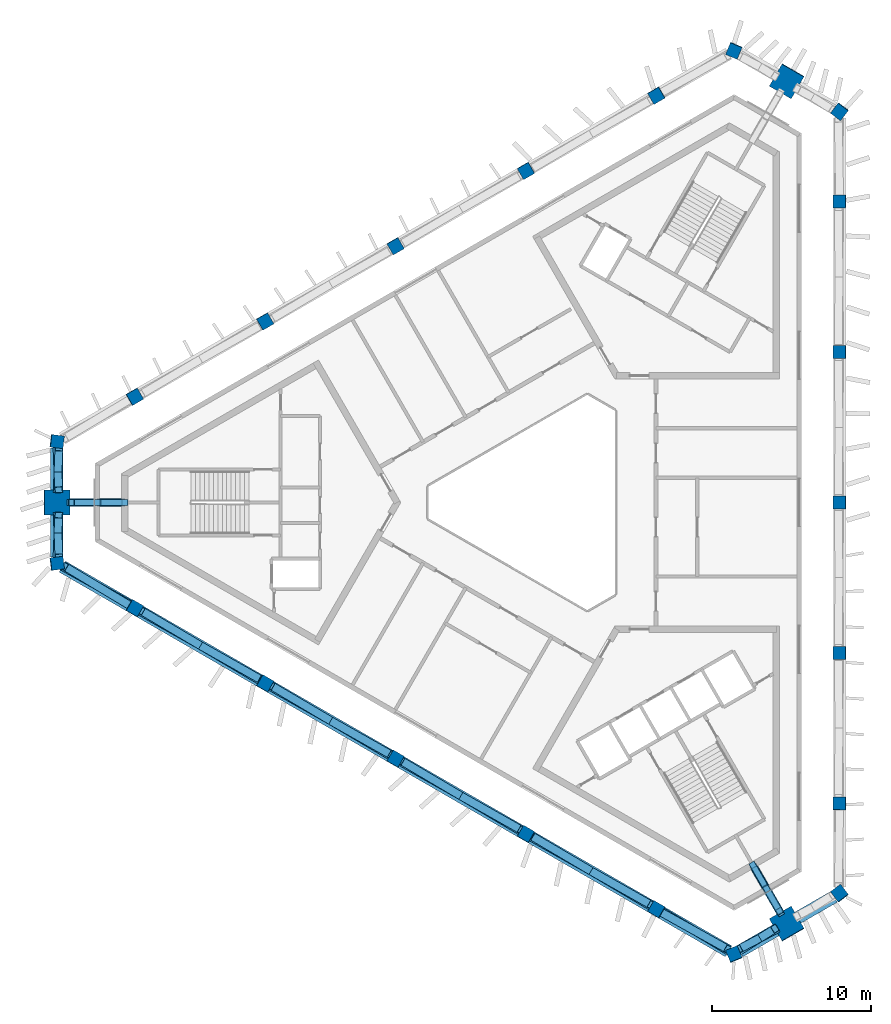
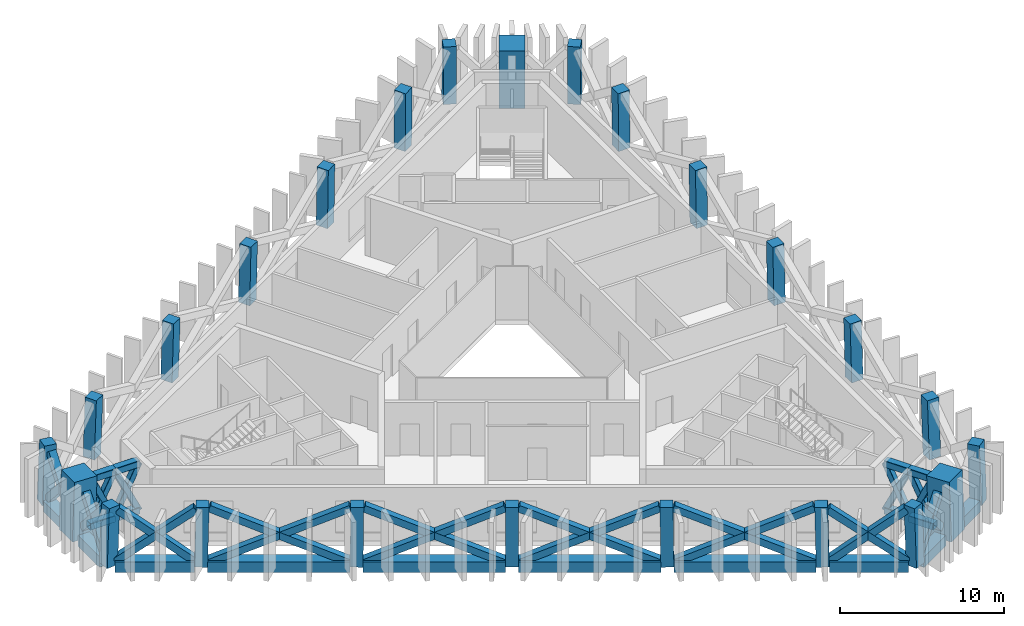
# One storey, part 1 of 8: 44 members, 24 columns.
"""IFC4 building model written with IfcOpenShell, lengths in metres."""

from ifc_helpers import new_model, si_unit, direction, frame, origin, origin_2d, place, context, subcontext, project, spatial, rectangle, hollow_rectangle, extrude, material, material_profile, profile_set, type_object, element, save


model = new_model("IFC4")

# Units and contexts
model_context = context("Model", 3, precision=1e-05, world=origin(), true_north=direction((0.0, 1.0)))
body_context = subcontext(model_context, "Body", "Model", "MODEL_VIEW")
ifc_project = project(units=[si_unit("LENGTHUNIT", "METRE"), si_unit("AREAUNIT", "SQUARE_METRE"), si_unit("VOLUMEUNIT", "CUBIC_METRE"), si_unit("PLANEANGLEUNIT", "RADIAN"), si_unit("MASSUNIT", "GRAM", prefix="KILO")], contexts=[model_context])

# Site, building, storey
site_placement = place(None, origin())
site = spatial("IfcSite", under=ifc_project, at=site_placement, CompositionType="ELEMENT")
building_placement = place(site_placement, origin())
building = spatial("IfcBuilding", under=site, at=building_placement, Name="Jabali Bay Hotel Tower and Convention Centre", CompositionType="ELEMENT")
storey_placement = place(building_placement, frame((0.0, 0.0, 296.0)))
storey = spatial("IfcBuildingStorey", under=building, at=storey_placement, Name="L73", CompositionType="ELEMENT", Elevation=296.0)

# Columns
ifc_material_1 = material(Name="Concrete C60", Category="concrete")
ifc_material_profile_1 = material_profile(ifc_material_1, rectangle(XDim=0.800048828125, YDim=0.800048828125, at=origin_2d()), Name="Frame column 800")
ifc_profile_set_1 = profile_set([ifc_material_profile_1], Name="Concrete C60")
column_type_1 = type_object("IfcColumnType", Name="Frame column 800", PredefinedType="COLUMN", material=ifc_profile_set_1)
column_1_placement = place(storey_placement, frame((82.1201171875, 105.680419921875, 0.0), z_axis=(-0.008375041015, -0.028120170824, 0.99956946466), x_axis=(0.86604026102, 0.499519967334, 0.021308883745)))
element("IfcColumn", 1, at=column_1_placement, inside=storey, type_object=column_type_1, Name="FC6 F1.1 L73", PredefinedType="COLUMN", context=body_context, shape_type="SweptSolid", body=[
    extrude(rectangle(XDim=0.800048828125, YDim=0.800048828125, at=origin_2d()), origin(), (0.0, 0.0, 1.0), 4.40185546875),
])
column_2_placement = place(storey_placement, frame((73.89013671875, 100.9287109375, 0.0), z_axis=(0.000887572667, -0.022799522891, 0.999739663098), x_axis=(0.865381690599, 0.500999952794, 0.010657245231)))
element("IfcColumn", 2, at=column_2_placement, inside=storey, type_object=column_type_1, Name="FC6 F1.2 L73", PredefinedType="COLUMN", context=body_context, shape_type="SweptSolid", body=[
    extrude(rectangle(XDim=0.800048828125, YDim=0.800048828125, at=origin_2d()), origin(), (0.0, 0.0, 1.0), 4.401123046875),
])
column_3_placement = place(storey_placement, frame((65.66015625, 96.17724609375, 0.0), z_axis=(0.010096701434, -0.017530536556, 0.999795347513), x_axis=(0.866545069228, 0.499098830891, 2.23502e-07)))
element("IfcColumn", 3, at=column_3_placement, inside=storey, type_object=column_type_1, Name="FC6 F1.3 L73", PredefinedType="COLUMN", context=body_context, shape_type="SweptSolid", body=[
    extrude(rectangle(XDim=0.800048828125, YDim=0.800048828125, at=origin_2d()), origin(), (0.0, 0.0, 1.0), 4.40087890625),
])
column_4_placement = place(storey_placement, frame((57.43017578125, 91.425537109375, 0.0), z_axis=(0.01930470884, -0.012148652977, 0.999739835381), x_axis=(-0.499386744752, 0.86614439953, 0.020168250509)))
element("IfcColumn", 4, at=column_4_placement, inside=storey, type_object=column_type_1, Name="FC6 F1.4 L73", PredefinedType="COLUMN", context=body_context, shape_type="SweptSolid", body=[
    extrude(rectangle(XDim=0.800048828125, YDim=0.800048828125, at=origin_2d()), origin(), (0.0, 0.0, 1.0), 4.401123046875),
])
for number, where, z_axis, x_axis, name in (
    (5, (49.199951171875, 86.673828125, 0.0), (0.028563859463, -0.006822047988, 0.999568689783), (-0.499616168362, 0.866011629978, 0.020187646054), "FC6 F1.5 L73"),
    (6, (49.199951171875, 73.326171875, 0.0), (0.028563859463, 0.006822047988, 0.999568689783), (-0.865775831404, 0.499977315889, 0.021328229016), "FC6 F2.1 L73"),
):
    element("IfcColumn", number, at=place(storey_placement, frame(where, z_axis=z_axis, x_axis=x_axis)), inside=storey, type_object=column_type_1, Name=name, PredefinedType="COLUMN", context=body_context, shape_type="SweptSolid", body=[
        extrude(rectangle(XDim=0.800048828125, YDim=0.800048828125, at=origin_2d()), origin(), (0.0, 0.0, 1.0), 4.40185546875),
    ])
column_5_placement = place(storey_placement, frame((57.43017578125, 68.574462890625, 0.0), z_axis=(0.01930470884, 0.012148652977, 0.999739835381), x_axis=(-0.866164076479, 0.499646164194, 0.010653789183)))
element("IfcColumn", 7, at=column_5_placement, inside=storey, type_object=column_type_1, Name="FC6 F2.2 L73", PredefinedType="COLUMN", context=body_context, shape_type="SweptSolid", body=[
    extrude(rectangle(XDim=0.800048828125, YDim=0.800048828125, at=origin_2d()), origin(), (0.0, 0.0, 1.0), 4.401123046875),
])
column_6_placement = place(storey_placement, frame((65.66015625, 63.82275390625, 0.0), z_axis=(0.010096701434, 0.017530536556, 0.999795347513), x_axis=(-0.498996692992, -0.866367726368, 0.020230251895)))
element("IfcColumn", 8, at=column_6_placement, inside=storey, type_object=column_type_1, Name="FC6 F2.3 L73", PredefinedType="COLUMN", context=body_context, shape_type="SweptSolid", body=[
    extrude(rectangle(XDim=0.800048828125, YDim=0.800048828125, at=origin_2d()), origin(), (0.0, 0.0, 1.0), 4.40087890625),
])
column_7_placement = place(storey_placement, frame((73.89013671875, 59.0712890625, 0.0), z_axis=(0.000887572667, 0.022799522891, 0.999739663098), x_axis=(-0.501112504125, -0.865146940731, 0.020174963528)))
element("IfcColumn", 9, at=column_7_placement, inside=storey, type_object=column_type_1, Name="FC6 F2.4 L73", PredefinedType="COLUMN", context=body_context, shape_type="SweptSolid", body=[
    extrude(rectangle(XDim=0.800048828125, YDim=0.800048828125, at=origin_2d()), origin(), (0.0, 0.0, 1.0), 4.401123046875),
])
for number, where, z_axis, x_axis, name in (
    (10, (82.1201171875, 54.319580078125, 0.0), (-0.008375041015, 0.028120170824, 0.99956946466), (-0.499904115786, -0.865845862858, 0.020169699866), "FC6 F2.5 L73"),
    (11, (93.6796875, 60.993408203125, 0.0), (-0.020188813544, 0.021353552787, 0.999568125538), (-0.000778316803, -0.999771926641, 0.021342186463), "FC6 F0.1 L73"),
):
    element("IfcColumn", number, at=place(storey_placement, frame(where, z_axis=z_axis, x_axis=x_axis)), inside=storey, type_object=column_type_1, Name=name, PredefinedType="COLUMN", context=body_context, shape_type="SweptSolid", body=[
        extrude(rectangle(XDim=0.800048828125, YDim=0.800048828125, at=origin_2d()), origin(), (0.0, 0.0, 1.0), 4.40185546875),
    ])
column_8_placement = place(storey_placement, frame((93.6796875, 70.496826171875, 0.0), z_axis=(-0.020192272495, 0.010650869008, 0.999739381599), x_axis=(0.000500586277, -0.999943021709, 0.010663149127)))
element("IfcColumn", 12, at=column_8_placement, inside=storey, type_object=column_type_1, Name="FC6 F0.2 L73", PredefinedType="COLUMN", context=body_context, shape_type="SweptSolid", body=[
    extrude(rectangle(XDim=0.800048828125, YDim=0.800048828125, at=origin_2d()), origin(), (0.0, 0.0, 1.0), 4.401123046875),
])
column_9_placement = place(storey_placement, frame((93.6796875, 80.0, 0.0), z_axis=(-0.020193417908, 0.0, 0.999796092147), x_axis=(0.0, -1.0, 0.0)))
element("IfcColumn", 13, at=column_9_placement, inside=storey, type_object=column_type_1, Name="FC6 F0.3 L73", PredefinedType="COLUMN", context=body_context, shape_type="SweptSolid", body=[
    extrude(rectangle(XDim=0.800048828125, YDim=0.800048828125, at=origin_2d()), origin(), (0.0, 0.0, 1.0), 4.40087890625),
])
column_10_placement = place(storey_placement, frame((93.6796875, 89.503173828125, 0.0), z_axis=(-0.020192272495, -0.010650869008, 0.999739381599), x_axis=(0.999795989962, -0.000715769027, 0.020185790295)))
element("IfcColumn", 14, at=column_10_placement, inside=storey, type_object=column_type_1, Name="FC6 F0.4 L73", PredefinedType="COLUMN", context=body_context, shape_type="SweptSolid", body=[
    extrude(rectangle(XDim=0.800048828125, YDim=0.800048828125, at=origin_2d()), origin(), (0.0, 0.0, 1.0), 4.401123046875),
])
column_11_placement = place(storey_placement, frame((93.6796875, 99.006591796875, 0.0), z_axis=(-0.020188813544, -0.021353552787, 0.999568125538), x_axis=(0.999795882183, 0.000347107245, 0.020200828843)))
element("IfcColumn", 15, at=column_11_placement, inside=storey, type_object=column_type_1, Name="FC6 F0.5 L73", PredefinedType="COLUMN", context=body_context, shape_type="SweptSolid", body=[
    extrude(rectangle(XDim=0.800048828125, YDim=0.800048828125, at=origin_2d()), origin(), (0.0, 0.0, 1.0), 4.40185546875),
])
for number, where, z_axis, x_axis, name in (
    (16, (93.6796875, 55.334716796875, 0.0), (-0.020184923639, 0.029001964459, 0.999375532478), (-0.797077232245, -0.603875693918, 0.001425528542), "FC6 V0 L73"),
    (17, (93.6796875, 104.665283203125, 0.0), (-0.020184923639, -0.029001964459, 0.999375532478), (0.603539936288, 0.796550709216, 0.03530599033), "FC6 V1 L73"),
    (18, (87.020751953125, 108.509765625, 0.0), (-0.015027778584, -0.031996414181, 0.999375002364), (0.921537677738, -0.388286332037, 0.00142578499), "FC6 V2 L73"),
    (19, (44.29931640625, 83.844482421875, 0.0), (0.035212709707, -0.002939013566, 0.999375518649), (-0.991746718081, 0.123255451076, 0.03530638691), "FC6 V3 L73"),
    (20, (44.29931640625, 76.155517578125, 0.0), (0.035212709707, 0.002939013566, 0.999375518649), (-0.123282246295, 0.992370624303, 0.00142540136), "FC6 V4 L73"),
    (21, (87.020751953125, 51.490234375, 0.0), (-0.015027778584, 0.031996414181, 0.999375002364), (0.38799803399, -0.920983145249, 0.035320982245), "FC6 V5 L73"),
):
    element("IfcColumn", number, at=place(storey_placement, frame(where, z_axis=z_axis, x_axis=x_axis)), inside=storey, type_object=column_type_1, Name=name, PredefinedType="COLUMN", context=body_context, shape_type="SweptSolid", body=[
        extrude(rectangle(XDim=0.800048828125, YDim=0.800048828125, at=origin_2d()), origin(), (0.0, 0.0, 1.0), 4.402587890625),
    ])
ifc_material_2 = material(Name="Concrete C70", Category="concrete")
ifc_material_profile_2 = material_profile(ifc_material_2, rectangle(XDim=1.60009765625, YDim=1.60009765625, at=origin_2d()), Name="Mega column 1600")
ifc_profile_set_2 = profile_set([ifc_material_profile_2], Name="Concrete C70")
column_type_2 = type_object("IfcColumnType", Name="Mega column 1600", PredefinedType="COLUMN", material=ifc_profile_set_2)
for number, where, z_axis, x_axis, name in (
    (22, (90.350341796875, 106.58740234375, 0.0), (-0.017634146739, -0.030499310397, 0.999379221784), (0.500233351907, 0.865173637239, 0.035230257818), "MC6 M1 L73"),
    (23, (44.29931640625, 80.0, 0.0), (0.035212861788, 0.0, 0.99937983488), (0.0, 1.0, 0.0), "MC6 M0 L73"),
    (24, (90.350341796875, 53.41259765625, 0.0), (-0.017634146739, 0.030499310397, 0.999379221784), (-0.865711054861, -0.500544073476, 1.73397e-07), "MC6 M2 L73"),
):
    element("IfcColumn", number, at=place(storey_placement, frame(where, z_axis=z_axis, x_axis=x_axis)), inside=storey, type_object=column_type_2, Name=name, PredefinedType="COLUMN", context=body_context, shape_type="SweptSolid", body=[
        extrude(rectangle(XDim=1.60009765625, YDim=1.60009765625, at=origin_2d()), origin(), (0.0, 0.0, 1.0), 4.402587890625),
    ])

# Members
ifc_material_3 = material(Name="Steel Q420GJC", Category="steel")
ifc_material_profile_3 = material_profile(ifc_material_3, hollow_rectangle(XDim=0.5, YDim=0.5, WallThickness=0.030029296875, at=origin_2d()), Name="Belt brace 500x500x30")
ifc_profile_set_3 = profile_set([ifc_material_profile_3], Name="Steel Q420GJC")
member_type_1 = type_object("IfcMemberType", Name="Belt brace 500x500x30", PredefinedType="BRACE", material=ifc_profile_set_3)
member_1_placement = place(storey_placement, frame((44.3154296875, 83.44482421875, 0.45751953125), z_axis=(0.026526550798, -0.657761337409, 0.75275916807), x_axis=(0.999187795239, 0.040295779487, 0.0)))
element("IfcMember", 25, at=member_1_placement, inside=storey, type_object=member_type_1, Name="Belt brace T6 V3-M0 x1", PredefinedType="BRACE", context=body_context, shape_type="SweptSolid", body=[
    extrude(hollow_rectangle(XDim=0.5, YDim=0.5, WallThickness=0.030029296875, at=origin_2d()), origin(), (0.0, 0.0, 1.0), 4.02197265625),
])
for number, where, z_axis, x_axis, name in (
    (26, (44.331787109375, 80.79931640625, 0.91796875), (0.026545074044, 0.656503517022, 0.753855749584), (-0.999183546139, 0.040401003999, 0.0), "Belt brace T6 V3-M0 x2"),
    (27, (44.331787109375, 79.20068359375, 0.91796875), (0.026545074044, -0.656503517022, 0.753855749584), (0.999183546139, 0.040401003999, 0.0), "Belt brace T6 M0-V4 x1"),
):
    element("IfcMember", number, at=place(storey_placement, frame(where, z_axis=z_axis, x_axis=x_axis)), inside=storey, type_object=member_type_1, Name=name, PredefinedType="BRACE", context=body_context, shape_type="SweptSolid", body=[
        extrude(hollow_rectangle(XDim=0.5, YDim=0.5, WallThickness=0.030029296875, at=origin_2d()), origin(), (0.0, 0.0, 1.0), 4.010009765625),
    ])
member_2_placement = place(storey_placement, frame((44.3154296875, 76.55517578125, 0.45751953125), z_axis=(0.026526550798, 0.657761337409, 0.75275916807), x_axis=(-0.999187795239, 0.040295779487, 0.0)))
element("IfcMember", 28, at=member_2_placement, inside=storey, type_object=member_type_1, Name="Belt brace T6 M0-V4 x2", PredefinedType="BRACE", context=body_context, shape_type="SweptSolid", body=[
    extrude(hollow_rectangle(XDim=0.5, YDim=0.5, WallThickness=0.030029296875, at=origin_2d()), origin(), (0.0, 0.0, 1.0), 4.02197265625),
])
member_3_placement = place(storey_placement, frame((44.64892578125, 75.9609375, 0.305908203125), z_axis=(0.693963297755, -0.386505256724, 0.60747726533), x_axis=(0.486575880664, 0.87363831896, 0.0)))
element("IfcMember", 29, at=member_3_placement, inside=storey, type_object=member_type_1, Name="Belt brace T6 V4-F2.1 x1", PredefinedType="BRACE", context=body_context, shape_type="SweptSolid", body=[
    extrude(hollow_rectangle(XDim=0.5, YDim=0.5, WallThickness=0.030029296875, at=origin_2d()), origin(), (0.0, 0.0, 1.0), 6.23583984375),
])
member_4_placement = place(storey_placement, frame((48.85693359375, 73.53173828125, 0.318115234375), z_axis=(-0.671398388347, 0.402144496876, 0.622498198999), x_axis=(-0.513843070707, -0.857884198879, 0.0)))
element("IfcMember", 30, at=member_4_placement, inside=storey, type_object=member_type_1, Name="Belt brace T6 V4-F2.1 x2", PredefinedType="BRACE", context=body_context, shape_type="SweptSolid", body=[
    extrude(hollow_rectangle(XDim=0.5, YDim=0.5, WallThickness=0.030029296875, at=origin_2d()), origin(), (0.0, 0.0, 1.0), 6.046142578125),
])
member_5_placement = place(storey_placement, frame((49.54833984375, 73.12939453125, 0.184326171875), z_axis=(0.790752664738, -0.446790712833, 0.418435517298), x_axis=(0.491926706334, 0.870636615124, 0.0)))
element("IfcMember", 31, at=member_5_placement, inside=storey, type_object=member_type_1, Name="Belt brace T6 F2.1-F2.2 x1", PredefinedType="BRACE", context=body_context, shape_type="SweptSolid", body=[
    extrude(hollow_rectangle(XDim=0.5, YDim=0.5, WallThickness=0.030029296875, at=origin_2d()), origin(), (0.0, 0.0, 1.0), 9.634765625),
])
member_6_placement = place(storey_placement, frame((57.085693359375, 68.77783203125, 0.18701171875), z_axis=(-0.780199937753, 0.460301010224, 0.423569400591), x_axis=(-0.508134979565, -0.861277448064, 0.0)))
element("IfcMember", 32, at=member_6_placement, inside=storey, type_object=member_type_1, Name="Belt brace T6 F2.1-F2.2 x2", PredefinedType="BRACE", context=body_context, shape_type="SweptSolid", body=[
    extrude(hollow_rectangle(XDim=0.5, YDim=0.5, WallThickness=0.030029296875, at=origin_2d()), origin(), (0.0, 0.0, 1.0), 9.504638671875),
])
member_7_placement = place(storey_placement, frame((57.7783203125, 68.377685546875, 0.185302734375), z_axis=(0.790089140846, -0.44637401894, 0.420130199738), x_axis=(0.491891798651, 0.870656337724, 0.0)))
element("IfcMember", 33, at=member_7_placement, inside=storey, type_object=member_type_1, Name="Belt brace T6 F2.2-F2.3 x1", PredefinedType="BRACE", context=body_context, shape_type="SweptSolid", body=[
    extrude(hollow_rectangle(XDim=0.5, YDim=0.5, WallThickness=0.030029296875, at=origin_2d()), origin(), (0.0, 0.0, 1.0), 9.591064453125),
])
for number, where, z_axis, x_axis, name in (
    (34, (65.315673828125, 64.026123046875, 0.18603515625), (-0.780901057459, 0.460690712254, 0.421850217615), (-0.508115389897, -0.861289005242, 0.0), "Belt brace T6 F2.2-F2.3 x2"),
    (35, (66.00830078125, 63.626220703125, 0.18603515625), (0.789417899762, -0.445938139211, 0.42185134293), (0.491844433366, 0.870683095832, 0.0), "Belt brace T6 F2.3-F2.4 x1"),
):
    element("IfcMember", number, at=place(storey_placement, frame(where, z_axis=z_axis, x_axis=x_axis)), inside=storey, type_object=member_type_1, Name=name, PredefinedType="BRACE", context=body_context, shape_type="SweptSolid", body=[
        extrude(hollow_rectangle(XDim=0.5, YDim=0.5, WallThickness=0.030029296875, at=origin_2d()), origin(), (0.0, 0.0, 1.0), 9.548095703125),
    ])
member_8_placement = place(storey_placement, frame((73.545654296875, 59.2744140625, 0.185302734375), z_axis=(-0.781610594153, 0.461060141076, 0.42012905805), x_axis=(-0.508075202316, -0.861312712545, 0.0)))
element("IfcMember", 36, at=member_8_placement, inside=storey, type_object=member_type_1, Name="Belt brace T6 F2.3-F2.4 x2", PredefinedType="BRACE", context=body_context, shape_type="SweptSolid", body=[
    extrude(hollow_rectangle(XDim=0.5, YDim=0.5, WallThickness=0.030029296875, at=origin_2d()), origin(), (0.0, 0.0, 1.0), 9.59130859375),
])
member_9_placement = place(storey_placement, frame((74.238525390625, 58.87451171875, 0.18701171875), z_axis=(0.788736553773, -0.445510544801, 0.42357408232), x_axis=(0.491808693929, 0.87070328389, 0.0)))
element("IfcMember", 37, at=member_9_placement, inside=storey, type_object=member_type_1, Name="Belt brace T6 F2.4-F2.5 x1", PredefinedType="BRACE", context=body_context, shape_type="SweptSolid", body=[
    extrude(hollow_rectangle(XDim=0.5, YDim=0.5, WallThickness=0.030029296875, at=origin_2d()), origin(), (0.0, 0.0, 1.0), 9.504638671875),
])
member_10_placement = place(storey_placement, frame((81.775634765625, 54.52294921875, 0.184326171875), z_axis=(-0.782302694928, 0.461419725704, 0.418442744278), x_axis=(-0.508035443651, -0.861336164337, 0.0)))
element("IfcMember", 38, at=member_10_placement, inside=storey, type_object=member_type_1, Name="Belt brace T6 F2.4-F2.5 x2", PredefinedType="BRACE", context=body_context, shape_type="SweptSolid", body=[
    extrude(hollow_rectangle(XDim=0.5, YDim=0.5, WallThickness=0.030029296875, at=origin_2d()), origin(), (0.0, 0.0, 1.0), 9.634521484375),
])
member_11_placement = place(storey_placement, frame((82.4697265625, 54.125244140625, 0.318115234375), z_axis=(0.683960232051, -0.380381708934, 0.622501531308), x_axis=(0.486037155402, 0.873938146306, 0.0)))
element("IfcMember", 39, at=member_11_placement, inside=storey, type_object=member_type_1, Name="Belt brace T6 F2.5-V5 x1", PredefinedType="BRACE", context=body_context, shape_type="SweptSolid", body=[
    extrude(hollow_rectangle(XDim=0.5, YDim=0.5, WallThickness=0.030029296875, at=origin_2d()), origin(), (0.0, 0.0, 1.0), 6.046142578125),
])
member_12_placement = place(storey_placement, frame((86.677490234375, 51.695556640625, 0.305908203125), z_axis=(-0.681689367342, 0.407737239188, 0.607494814984), x_axis=(-0.513313739054, -0.858201028488, 0.0)))
element("IfcMember", 40, at=member_12_placement, inside=storey, type_object=member_type_1, Name="Belt brace T6 F2.5-V5 x2", PredefinedType="BRACE", context=body_context, shape_type="SweptSolid", body=[
    extrude(hollow_rectangle(XDim=0.5, YDim=0.5, WallThickness=0.030029296875, at=origin_2d()), origin(), (0.0, 0.0, 1.0), 6.235595703125),
])
member_13_placement = place(storey_placement, frame((87.35888671875, 51.7041015625, 0.45751953125), z_axis=(0.556390560743, 0.351826280828, 0.752760129148), x_axis=(-0.534450860417, 0.8451995491, 0.0)))
element("IfcMember", 41, at=member_13_placement, inside=storey, type_object=member_type_1, Name="Belt brace T6 V5-M2 x1", PredefinedType="BRACE", context=body_context, shape_type="SweptSolid", body=[
    extrude(hollow_rectangle(XDim=0.5, YDim=0.5, WallThickness=0.030029296875, at=origin_2d()), origin(), (0.0, 0.0, 1.0), 4.02197265625),
])
member_14_placement = place(storey_placement, frame((89.641845703125, 53.040771484375, 0.91796875), z_axis=(-0.581816957991, -0.305216451487, 0.753877937823), x_axis=(0.464550555432, -0.885546600382, 0.0)))
element("IfcMember", 42, at=member_14_placement, inside=storey, type_object=member_type_1, Name="Belt brace T6 V5-M2 x2", PredefinedType="BRACE", context=body_context, shape_type="SweptSolid", body=[
    extrude(hollow_rectangle(XDim=0.5, YDim=0.5, WallThickness=0.030029296875, at=origin_2d()), origin(), (0.0, 0.0, 1.0), 4.009765625),
])
ifc_material_profile_4 = material_profile(ifc_material_3, hollow_rectangle(XDim=0.800048828125, YDim=0.800048828125, WallThickness=0.0400390625, at=origin_2d()), Name="Belt chord 800x800x40")
ifc_profile_set_4 = profile_set([ifc_material_profile_4], Name="Steel Q420GJC")
member_type_2 = type_object("IfcMemberType", Name="Belt chord 800x800x40", PredefinedType="CHORD", material=ifc_profile_set_4)
for number, where, z_axis, x_axis, name in (
    (43, (44.29931640625, 83.444580078125, 0.0), (0.0, -1.0, 0.0), (1.0, 0.0, 0.0), "Belt chord T6 V3-M0"),
    (44, (44.29931640625, 79.199951171875, 0.0), (0.0, -1.0, 0.0), (1.0, 0.0, 0.0), "Belt chord T6 M0-V4"),
):
    element("IfcMember", number, at=place(storey_placement, frame(where, z_axis=z_axis, x_axis=x_axis)), inside=storey, type_object=member_type_2, Name=name, PredefinedType="CHORD", context=body_context, shape_type="SweptSolid", body=[
        extrude(hollow_rectangle(XDim=0.800048828125, YDim=0.800048828125, WallThickness=0.0400390625, at=origin_2d()), origin(), (0.0, 0.0, 1.0), 2.64453125),
    ])
member_15_placement = place(storey_placement, frame((44.645751953125, 75.95556640625, 0.0), z_axis=(0.86601739438, -0.500013872438, 0.0), x_axis=(0.500013872438, 0.86601739438, 0.0)))
element("IfcMember", 45, at=member_15_placement, inside=storey, type_object=member_type_2, Name="Belt chord T6 V4-F2.1", PredefinedType="CHORD", context=body_context, shape_type="SweptSolid", body=[
    extrude(hollow_rectangle(XDim=0.800048828125, YDim=0.800048828125, WallThickness=0.0400390625, at=origin_2d()), origin(), (0.0, 0.0, 1.0), 4.858642578125),
])
for number, where, z_axis, x_axis, name in (
    (46, (49.54638671875, 73.126220703125, 0.0), (0.866019753935, -0.500009785699, 0.0), (0.500009785699, 0.866019753935, 0.0), "Belt chord T6 F2.1-F2.2"),
    (47, (57.7763671875, 68.37451171875, 0.0), (0.866031900465, -0.499988747251, 0.0), (0.499988747251, 0.866031900465, 0.0), "Belt chord T6 F2.2-F2.3"),
):
    element("IfcMember", number, at=place(storey_placement, frame(where, z_axis=z_axis, x_axis=x_axis)), inside=storey, type_object=member_type_2, Name=name, PredefinedType="CHORD", context=body_context, shape_type="SweptSolid", body=[
        extrude(hollow_rectangle(XDim=0.800048828125, YDim=0.800048828125, WallThickness=0.0400390625, at=origin_2d()), origin(), (0.0, 0.0, 1.0), 8.703369140625),
    ])
member_16_placement = place(storey_placement, frame((66.006591796875, 63.622802734375, 0.0), z_axis=(0.866024887666, -0.500000893942, 0.0), x_axis=(0.500000893942, 0.866024887666, 0.0)))
element("IfcMember", 48, at=member_16_placement, inside=storey, type_object=member_type_2, Name="Belt chord T6 F2.3-F2.4", PredefinedType="CHORD", context=body_context, shape_type="SweptSolid", body=[
    extrude(hollow_rectangle(XDim=0.800048828125, YDim=0.800048828125, WallThickness=0.0400390625, at=origin_2d()), origin(), (0.0, 0.0, 1.0), 8.703125),
])
member_17_placement = place(storey_placement, frame((74.236572265625, 58.871337890625, 0.0), z_axis=(0.866019753935, -0.500009785699, 0.0), x_axis=(0.500009785699, 0.866019753935, 0.0)))
element("IfcMember", 49, at=member_17_placement, inside=storey, type_object=member_type_2, Name="Belt chord T6 F2.4-F2.5", PredefinedType="CHORD", context=body_context, shape_type="SweptSolid", body=[
    extrude(hollow_rectangle(XDim=0.800048828125, YDim=0.800048828125, WallThickness=0.0400390625, at=origin_2d()), origin(), (0.0, 0.0, 1.0), 8.703369140625),
])
member_18_placement = place(storey_placement, frame((82.466552734375, 54.11962890625, 0.0), z_axis=(0.86601739438, -0.500013872438, 0.0), x_axis=(0.500013872438, 0.86601739438, 0.0)))
element("IfcMember", 50, at=member_18_placement, inside=storey, type_object=member_type_2, Name="Belt chord T6 F2.5-V5", PredefinedType="CHORD", context=body_context, shape_type="SweptSolid", body=[
    extrude(hollow_rectangle(XDim=0.800048828125, YDim=0.800048828125, WallThickness=0.0400390625, at=origin_2d()), origin(), (0.0, 0.0, 1.0), 4.858642578125),
])
member_19_placement = place(storey_placement, frame((87.3671875, 51.690185546875, 0.0), z_axis=(0.866030315638, 0.499991492324, 0.0), x_axis=(-0.499991492324, 0.866030315638, 0.0)))
element("IfcMember", 51, at=member_19_placement, inside=storey, type_object=member_type_2, Name="Belt chord T6 V5-M2", PredefinedType="CHORD", context=body_context, shape_type="SweptSolid", body=[
    extrude(hollow_rectangle(XDim=0.800048828125, YDim=0.800048828125, WallThickness=0.0400390625, at=origin_2d()), origin(), (0.0, 0.0, 1.0), 2.64453125),
])
member_20_placement = place(storey_placement, frame((91.043212890625, 53.8125, 0.0), z_axis=(0.866007234284, 0.500031469177, 0.0), x_axis=(-0.500031469177, 0.866007234284, 0.0)))
element("IfcMember", 52, at=member_20_placement, inside=storey, type_object=member_type_2, Name="Belt chord T6 M2-V0", PredefinedType="CHORD", context=body_context, shape_type="SweptSolid", body=[
    extrude(hollow_rectangle(XDim=0.800048828125, YDim=0.800048828125, WallThickness=0.0400390625, at=origin_2d()), origin(), (0.0, 0.0, 1.0), 2.644287109375),
])
ifc_material_profile_5 = material_profile(ifc_material_3, hollow_rectangle(XDim=0.39990234375, YDim=0.39990234375, WallThickness=0.011962890625, InnerFilletRadius=0.01806640625, OuterFilletRadius=0.030029296875, at=origin_2d()), Name="Outrigger brace 400x400x12")
ifc_profile_set_5 = profile_set([ifc_material_profile_5], Name="Steel Q420GJC")
member_type_3 = type_object("IfcMemberType", Name="Outrigger brace 400x400x12", PredefinedType="BRACE", material=ifc_profile_set_5)
member_21_placement = place(storey_placement, frame((48.596923828125, 80.0, 0.25), z_axis=(-0.433278722796, 0.0, 0.901259978237), x_axis=(0.0, -1.0, 0.0)))
element("IfcMember", 53, at=member_21_placement, inside=storey, type_object=member_type_3, Name="Outrigger brace T6 1.1x1", PredefinedType="BRACE", context=body_context, shape_type="SweptSolid", body=[
    extrude(hollow_rectangle(XDim=0.39990234375, YDim=0.39990234375, WallThickness=0.011962890625, InnerFilletRadius=0.01806640625, OuterFilletRadius=0.030029296875, at=origin_2d()), origin(), (0.0, 0.0, 1.0), 3.883544921875),
])
member_22_placement = place(storey_placement, frame((46.8525390625, 80.0, 0.25), z_axis=(0.446064509114, 0.0, 0.895000812128), x_axis=(0.0, 1.0, 0.0)))
element("IfcMember", 54, at=member_22_placement, inside=storey, type_object=member_type_3, Name="Outrigger brace T6 1.1x2", PredefinedType="BRACE", context=body_context, shape_type="SweptSolid", body=[
    extrude(hollow_rectangle(XDim=0.39990234375, YDim=0.39990234375, WallThickness=0.011962890625, InnerFilletRadius=0.01806640625, OuterFilletRadius=0.030029296875, at=origin_2d()), origin(), (0.0, 0.0, 1.0), 3.91064453125),
])
member_23_placement = place(storey_placement, frame((46.8525390625, 80.0, 0.25), z_axis=(-0.420278000818, 0.0, 0.907395394538), x_axis=(0.0, -1.0, 0.0)))
element("IfcMember", 55, at=member_23_placement, inside=storey, type_object=member_type_3, Name="Outrigger brace T6 1.2x1", PredefinedType="BRACE", context=body_context, shape_type="SweptSolid", body=[
    extrude(hollow_rectangle(XDim=0.39990234375, YDim=0.39990234375, WallThickness=0.011962890625, InnerFilletRadius=0.01806640625, OuterFilletRadius=0.030029296875, at=origin_2d()), origin(), (0.0, 0.0, 1.0), 3.857177734375),
])
member_24_placement = place(storey_placement, frame((45.108154296875, 80.0, 0.25), z_axis=(0.458582917757, 0.0, 0.888651623271), x_axis=(0.0, 1.0, 0.0)))
element("IfcMember", 56, at=member_24_placement, inside=storey, type_object=member_type_3, Name="Outrigger brace T6 1.2x2", PredefinedType="BRACE", context=body_context, shape_type="SweptSolid", body=[
    extrude(hollow_rectangle(XDim=0.39990234375, YDim=0.39990234375, WallThickness=0.011962890625, InnerFilletRadius=0.01806640625, OuterFilletRadius=0.030029296875, at=origin_2d()), origin(), (0.0, 0.0, 1.0), 3.9384765625),
])
member_25_placement = place(storey_placement, frame((88.20166015625, 57.13427734375, 0.25), z_axis=(0.216637557809, -0.375249443576, 0.901252474972), x_axis=(0.866038204628, 0.499977827634, 0.0)))
element("IfcMember", 57, at=member_25_placement, inside=storey, type_object=member_type_3, Name="Outrigger brace T6 3.1x1", PredefinedType="BRACE", context=body_context, shape_type="SweptSolid", body=[
    extrude(hollow_rectangle(XDim=0.39990234375, YDim=0.39990234375, WallThickness=0.011962890625, InnerFilletRadius=0.01806640625, OuterFilletRadius=0.030029296875, at=origin_2d()), origin(), (0.0, 0.0, 1.0), 3.883544921875),
])
member_26_placement = place(storey_placement, frame((89.07373046875, 55.62353515625, 0.25), z_axis=(-0.223001255391, 0.386319084088, 0.895001678972), x_axis=(-0.866064397679, -0.49993245451, 0.0)))
element("IfcMember", 58, at=member_26_placement, inside=storey, type_object=member_type_3, Name="Outrigger brace T6 3.1x2", PredefinedType="BRACE", context=body_context, shape_type="SweptSolid", body=[
    extrude(hollow_rectangle(XDim=0.39990234375, YDim=0.39990234375, WallThickness=0.011962890625, InnerFilletRadius=0.01806640625, OuterFilletRadius=0.030029296875, at=origin_2d()), origin(), (0.0, 0.0, 1.0), 3.91064453125),
])
member_27_placement = place(storey_placement, frame((89.07373046875, 55.62353515625, 0.25), z_axis=(0.210140978826, -0.363948984413, 0.907403937485), x_axis=(0.866010015463, 0.500026652407, 0.0)))
element("IfcMember", 59, at=member_27_placement, inside=storey, type_object=member_type_3, Name="Outrigger brace T6 3.2x1", PredefinedType="BRACE", context=body_context, shape_type="SweptSolid", body=[
    extrude(hollow_rectangle(XDim=0.39990234375, YDim=0.39990234375, WallThickness=0.011962890625, InnerFilletRadius=0.01806640625, OuterFilletRadius=0.030029296875, at=origin_2d()), origin(), (0.0, 0.0, 1.0), 3.857177734375),
])
member_28_placement = place(storey_placement, frame((89.94580078125, 54.113037109375, 0.25), z_axis=(-0.229237559398, 0.397105409818, 0.8886829777), x_axis=(-0.866055013668, -0.499948710669, 0.0)))
element("IfcMember", 60, at=member_28_placement, inside=storey, type_object=member_type_3, Name="Outrigger brace T6 3.2x2", PredefinedType="BRACE", context=body_context, shape_type="SweptSolid", body=[
    extrude(hollow_rectangle(XDim=0.39990234375, YDim=0.39990234375, WallThickness=0.011962890625, InnerFilletRadius=0.01806640625, OuterFilletRadius=0.030029296875, at=origin_2d()), origin(), (0.0, 0.0, 1.0), 3.9384765625),
])
ifc_material_profile_6 = material_profile(ifc_material_3, hollow_rectangle(XDim=0.5, YDim=0.5, WallThickness=0.01611328125, InnerFilletRadius=0.02392578125, OuterFilletRadius=0.0400390625, at=origin_2d()), Name="Outrigger chord 500x500x16")
ifc_profile_set_6 = profile_set([ifc_material_profile_6], Name="Steel Q420GJC")
member_type_4 = type_object("IfcMemberType", Name="Outrigger chord 500x500x16", PredefinedType="CHORD", material=ifc_profile_set_6)
for number, where, z_axis, x_axis, name in (
    (61, (48.596923828125, 80.0, 0.25), (-1.0, 0.0, 0.0), (0.0, -1.0, 0.0), "Outrigger chord T6 1.lo1"),
    (62, (46.8525390625, 80.0, 0.25), (-1.0, 0.0, 0.0), (0.0, -1.0, 0.0), "Outrigger chord T6 1.lo2"),
):
    element("IfcMember", number, at=place(storey_placement, frame(where, z_axis=z_axis, x_axis=x_axis)), inside=storey, type_object=member_type_4, Name=name, PredefinedType="CHORD", context=body_context, shape_type="SweptSolid", body=[
        extrude(hollow_rectangle(XDim=0.5, YDim=0.5, WallThickness=0.01611328125, InnerFilletRadius=0.02392578125, OuterFilletRadius=0.0400390625, at=origin_2d()), origin(), (0.0, 0.0, 1.0), 1.744384765625),
    ])
member_29_placement = place(storey_placement, frame((48.596923828125, 80.0, 3.75), z_axis=(-1.0, 0.0, 0.0), x_axis=(0.0, -1.0, 0.0)))
element("IfcMember", 63, at=member_29_placement, inside=storey, type_object=member_type_4, Name="Outrigger chord T6 1.hi1", PredefinedType="CHORD", context=body_context, shape_type="SweptSolid", body=[
    extrude(hollow_rectangle(XDim=0.5, YDim=0.5, WallThickness=0.01611328125, InnerFilletRadius=0.02392578125, OuterFilletRadius=0.0400390625, at=origin_2d()), origin(), (0.0, 0.0, 1.0), 1.6826171875),
])
member_30_placement = place(storey_placement, frame((46.914306640625, 80.0, 3.75), z_axis=(-1.0, 0.0, 0.0), x_axis=(0.0, -1.0, 0.0)))
element("IfcMember", 64, at=member_30_placement, inside=storey, type_object=member_type_4, Name="Outrigger chord T6 1.hi2", PredefinedType="CHORD", context=body_context, shape_type="SweptSolid", body=[
    extrude(hollow_rectangle(XDim=0.5, YDim=0.5, WallThickness=0.01611328125, InnerFilletRadius=0.02392578125, OuterFilletRadius=0.0400390625, at=origin_2d()), origin(), (0.0, 0.0, 1.0), 1.682861328125),
])
member_31_placement = place(storey_placement, frame((88.20166015625, 57.13427734375, 0.25), z_axis=(0.49993245451, -0.866064397679, 0.0), x_axis=(0.866064397679, 0.49993245451, 0.0)))
element("IfcMember", 65, at=member_31_placement, inside=storey, type_object=member_type_4, Name="Outrigger chord T6 3.lo1", PredefinedType="CHORD", context=body_context, shape_type="SweptSolid", body=[
    extrude(hollow_rectangle(XDim=0.5, YDim=0.5, WallThickness=0.01611328125, InnerFilletRadius=0.02392578125, OuterFilletRadius=0.0400390625, at=origin_2d()), origin(), (0.0, 0.0, 1.0), 1.744384765625),
])
member_32_placement = place(storey_placement, frame((89.07373046875, 55.62353515625, 0.25), z_axis=(0.499993059066, -0.866029411098, 0.0), x_axis=(0.866029411098, 0.499993059066, 0.0)))
element("IfcMember", 66, at=member_32_placement, inside=storey, type_object=member_type_4, Name="Outrigger chord T6 3.lo2", PredefinedType="CHORD", context=body_context, shape_type="SweptSolid", body=[
    extrude(hollow_rectangle(XDim=0.5, YDim=0.5, WallThickness=0.01611328125, InnerFilletRadius=0.02392578125, OuterFilletRadius=0.0400390625, at=origin_2d()), origin(), (0.0, 0.0, 1.0), 1.744140625),
])
for number, where, z_axis, x_axis, name in (
    (67, (88.20166015625, 57.13427734375, 3.75), (0.499977827634, -0.866038204628, 0.0), (0.866038204628, 0.499977827634, 0.0), "Outrigger chord T6 3.hi1"),
    (68, (89.04296875, 55.677001953125, 3.75), (0.499977827634, -0.866038204628, 0.0), (0.866038204628, 0.499977827634, 0.0), "Outrigger chord T6 3.hi2"),
):
    element("IfcMember", number, at=place(storey_placement, frame(where, z_axis=z_axis, x_axis=x_axis)), inside=storey, type_object=member_type_4, Name=name, PredefinedType="CHORD", context=body_context, shape_type="SweptSolid", body=[
        extrude(hollow_rectangle(XDim=0.5, YDim=0.5, WallThickness=0.01611328125, InnerFilletRadius=0.02392578125, OuterFilletRadius=0.0400390625, at=origin_2d()), origin(), (0.0, 0.0, 1.0), 1.6826171875),
    ])

save(model, "model.ifc")
